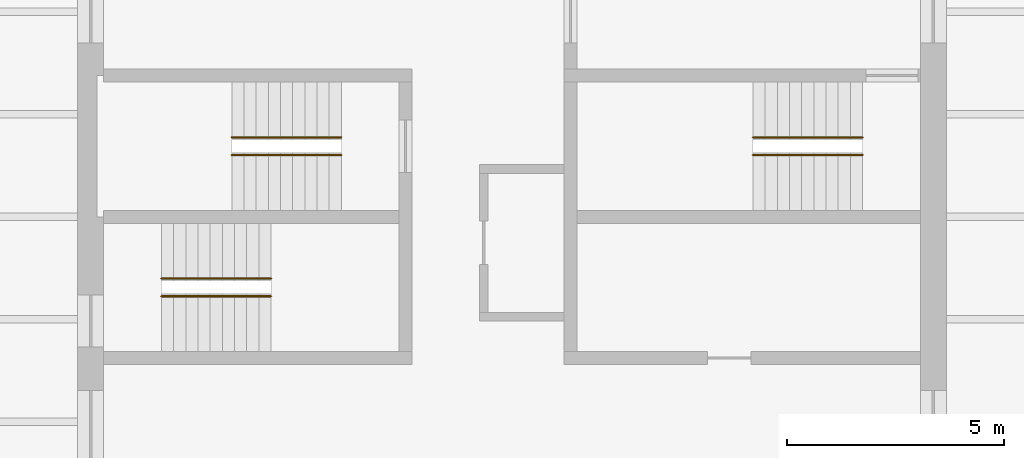
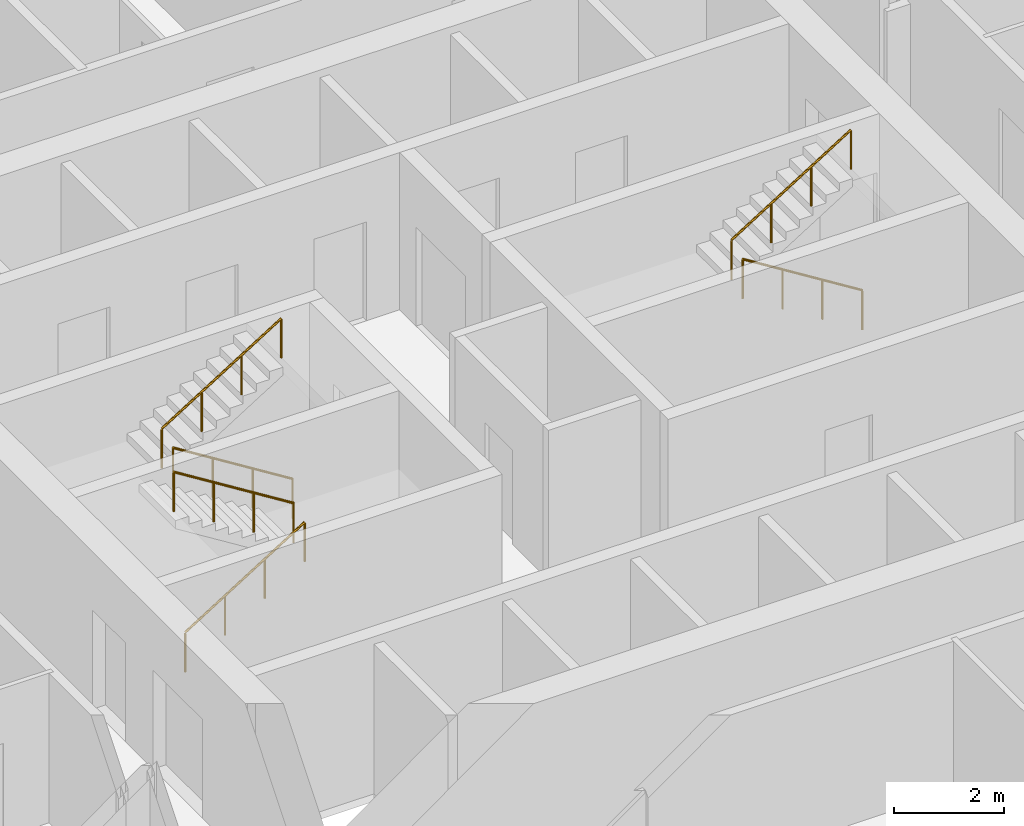
# One storey, part 9 of 9: 6 railings.
"""IFC4 building model written with IfcOpenShell, lengths in metres."""

from ifc_helpers import new_model, si_unit, direction, frame, origin, origin_2d, place, context, subcontext, project, spatial, circle, extrude, material, type_object, element, save


model = new_model("IFC4")

# Units and contexts
model_context = context("Model", 3, precision=1e-05, world=origin(), true_north=direction((0.0, 1.0)))
body_context = subcontext(model_context, "Body", "Model", "MODEL_VIEW")
ifc_project = project(units=[si_unit("LENGTHUNIT", "METRE"), si_unit("AREAUNIT", "SQUARE_METRE"), si_unit("VOLUMEUNIT", "CUBIC_METRE"), si_unit("PLANEANGLEUNIT", "RADIAN"), si_unit("MASSUNIT", "GRAM", prefix="KILO")], contexts=[model_context])

# Site, building, storey
site_placement = place(None, origin())
site = spatial("IfcSite", under=ifc_project, at=site_placement, CompositionType="ELEMENT")
building_placement = place(site_placement, origin())
building = spatial("IfcBuilding", under=site, at=building_placement, Name="Turquesa Mirador Hotel Tower", CompositionType="ELEMENT")
storey_placement = place(building_placement, frame((0.0, 0.0, 121.39990234375)))
storey = spatial("IfcBuildingStorey", under=building, at=storey_placement, Name="L32", CompositionType="ELEMENT", Elevation=121.39990234375)

# Railings
ifc_material = material(Name="Painted steel handrail", Category="steel")
railing_type = type_object("IfcRailingType", Name="HANDRAIL 900 STEEL", PredefinedType="HANDRAIL", material=ifc_material)
railing_1_placement = place(storey_placement, frame((51.070068359375, 46.419921875, 0.175048828125)))
element("IfcRailing", 1, at=railing_1_placement, inside=storey, type_object=railing_type, Name="Handrail ST1", PredefinedType="HANDRAIL", context=body_context, shape_type="SweptSolid", body=[
    extrude(circle(Radius=0.02392578125, at=origin_2d()), frame((0.0, 0.0, 0.8759765625), z_axis=(-0.848007534815, 0.0, 0.529984170421), x_axis=(0.0, -1.0, 0.0)), (0.0, 0.0, 1.0), 2.9716796875),
    extrude(circle(Radius=0.02099609375, at=origin_2d()), origin(), (0.0, 0.0, 1.0), 0.851806640625),
    extrude(circle(Radius=0.02099609375, at=origin_2d()), frame((-0.840087890625, 0.0, 0.52490234375)), (0.0, 0.0, 1.0), 0.851806640625),
    extrude(circle(Radius=0.02099609375, at=origin_2d()), frame((-1.679931640625, 0.0, 1.050048828125)), (0.0, 0.0, 1.0), 0.851806640625),
    extrude(circle(Radius=0.02099609375, at=origin_2d()), frame((-2.52001953125, 0.0, 1.574951171875)), (0.0, 0.0, 1.0), 0.851806640625),
])
for number, where, name in (
    (2, (48.550048828125, 46.830078125, 1.925048828125), "Handrail ST1"),
    (3, (46.929931640625, 43.169921875, 0.175048828125), "Handrail ST2"),
):
    element("IfcRailing", number, at=place(storey_placement, frame(where)), inside=storey, type_object=railing_type, Name=name, PredefinedType="HANDRAIL", context=body_context, shape_type="SweptSolid", body=[
        extrude(circle(Radius=0.02392578125, at=origin_2d()), frame((0.0, 0.0, 0.8759765625), z_axis=(0.848007534815, 0.0, 0.529984170421), x_axis=(0.0, 1.0, 0.0)), (0.0, 0.0, 1.0), 2.9716796875),
        extrude(circle(Radius=0.02099609375, at=origin_2d()), origin(), (0.0, 0.0, 1.0), 0.851806640625),
        extrude(circle(Radius=0.02099609375, at=origin_2d()), frame((0.840087890625, 0.0, 0.52490234375)), (0.0, 0.0, 1.0), 0.851806640625),
        extrude(circle(Radius=0.02099609375, at=origin_2d()), frame((1.679931640625, 0.0, 1.050048828125)), (0.0, 0.0, 1.0), 0.851806640625),
        extrude(circle(Radius=0.02099609375, at=origin_2d()), frame((2.52001953125, 0.0, 1.574951171875)), (0.0, 0.0, 1.0), 0.851806640625),
    ])
for number, where, name in (
    (4, (49.449951171875, 43.580078125, 1.925048828125), "Handrail ST2"),
    (5, (63.070068359375, 46.419921875, 0.175048828125), "Handrail ST3"),
):
    element("IfcRailing", number, at=place(storey_placement, frame(where)), inside=storey, type_object=railing_type, Name=name, PredefinedType="HANDRAIL", context=body_context, shape_type="SweptSolid", body=[
        extrude(circle(Radius=0.02392578125, at=origin_2d()), frame((0.0, 0.0, 0.8759765625), z_axis=(-0.848007534815, 0.0, 0.529984170421), x_axis=(0.0, -1.0, 0.0)), (0.0, 0.0, 1.0), 2.9716796875),
        extrude(circle(Radius=0.02099609375, at=origin_2d()), origin(), (0.0, 0.0, 1.0), 0.851806640625),
        extrude(circle(Radius=0.02099609375, at=origin_2d()), frame((-0.840087890625, 0.0, 0.52490234375)), (0.0, 0.0, 1.0), 0.851806640625),
        extrude(circle(Radius=0.02099609375, at=origin_2d()), frame((-1.679931640625, 0.0, 1.050048828125)), (0.0, 0.0, 1.0), 0.851806640625),
        extrude(circle(Radius=0.02099609375, at=origin_2d()), frame((-2.52001953125, 0.0, 1.574951171875)), (0.0, 0.0, 1.0), 0.851806640625),
    ])
railing_2_placement = place(storey_placement, frame((60.550048828125, 46.830078125, 1.925048828125)))
element("IfcRailing", 6, at=railing_2_placement, inside=storey, type_object=railing_type, Name="Handrail ST3", PredefinedType="HANDRAIL", context=body_context, shape_type="SweptSolid", body=[
    extrude(circle(Radius=0.02392578125, at=origin_2d()), frame((0.0, 0.0, 0.8759765625), z_axis=(0.848007534815, 0.0, 0.529984170421), x_axis=(0.0, 1.0, 0.0)), (0.0, 0.0, 1.0), 2.9716796875),
    extrude(circle(Radius=0.02099609375, at=origin_2d()), origin(), (0.0, 0.0, 1.0), 0.851806640625),
    extrude(circle(Radius=0.02099609375, at=origin_2d()), frame((0.840087890625, 0.0, 0.52490234375)), (0.0, 0.0, 1.0), 0.851806640625),
    extrude(circle(Radius=0.02099609375, at=origin_2d()), frame((1.679931640625, 0.0, 1.050048828125)), (0.0, 0.0, 1.0), 0.851806640625),
    extrude(circle(Radius=0.02099609375, at=origin_2d()), frame((2.52001953125, 0.0, 1.574951171875)), (0.0, 0.0, 1.0), 0.851806640625),
])

save(model, "model.ifc")
